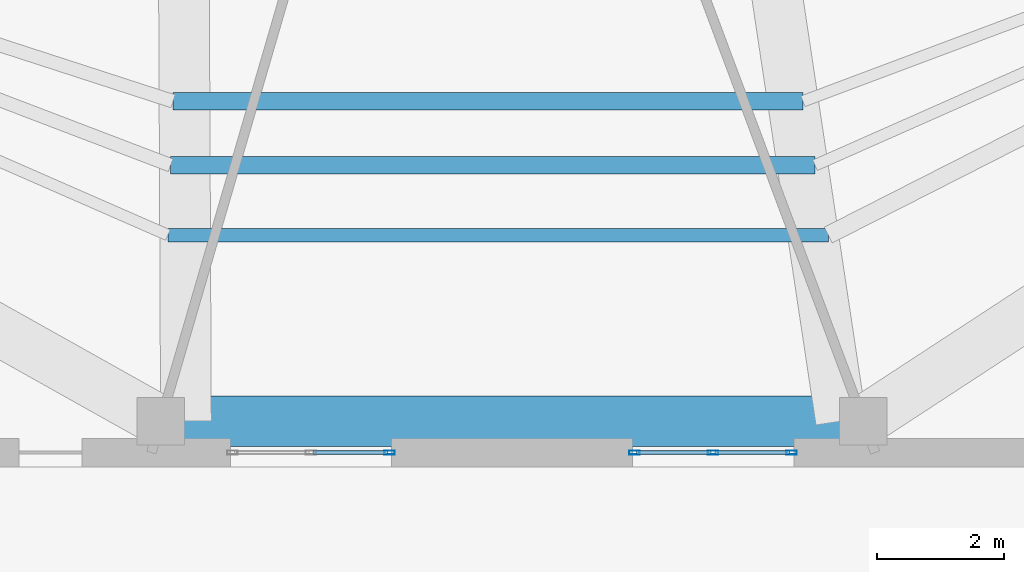
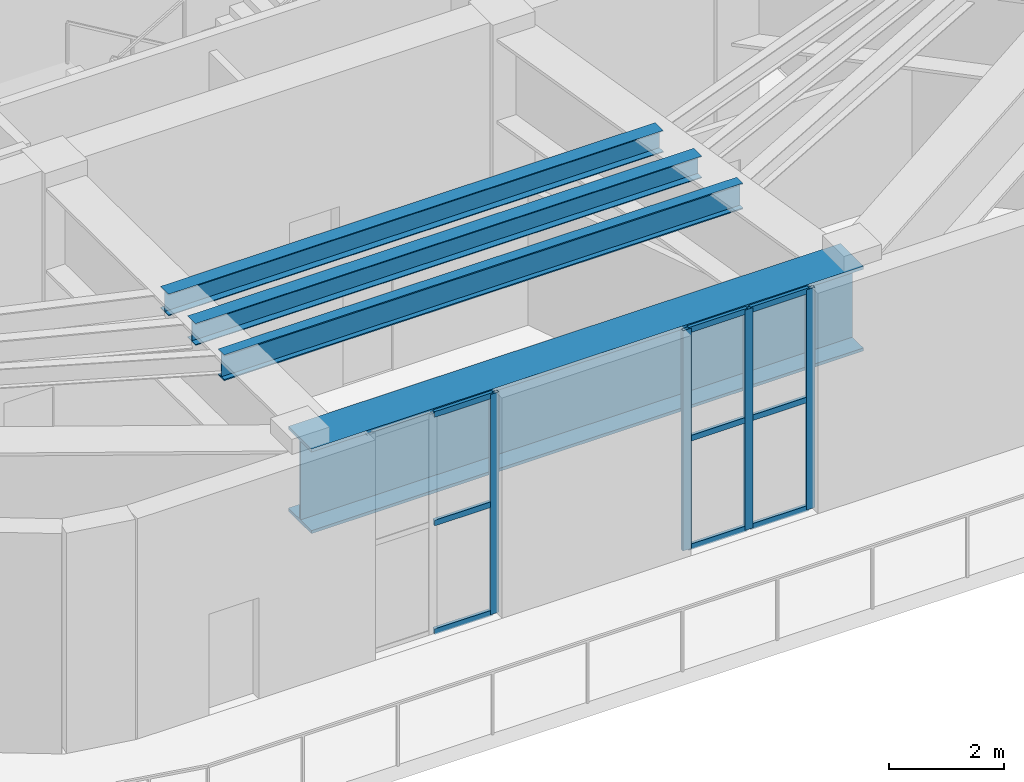
# One storey, part 5 of 24: 13 members, 4 beams, 2 elements without a shape of their own.
"""IFC4 building model written with IfcOpenShell, lengths in metres."""

from ifc_helpers import new_model, si_unit, direction, frame, origin, origin_2d, place, context, subcontext, project, spatial, hollow_rectangle, i_section, extrude, material, layer, layer_set, material_profile, profile_set, type_object, element, aggregate, save


model = new_model("IFC4")

# Units and contexts
model_context = context("Model", 3, precision=1e-05, world=origin(), true_north=direction((0.0, 1.0)))
body_context = subcontext(model_context, "Body", "Model", "MODEL_VIEW")
ifc_project = project(units=[si_unit("LENGTHUNIT", "METRE"), si_unit("AREAUNIT", "SQUARE_METRE"), si_unit("VOLUMEUNIT", "CUBIC_METRE"), si_unit("PLANEANGLEUNIT", "RADIAN"), si_unit("MASSUNIT", "GRAM", prefix="KILO")], contexts=[model_context])

# Site, building, storey
site_placement = place(None, origin())
site = spatial("IfcSite", under=ifc_project, at=site_placement, CompositionType="ELEMENT")
building_placement = place(site_placement, origin())
building = spatial("IfcBuilding", under=site, at=building_placement, Name="Kilnhurst Terrace Hotel", CompositionType="ELEMENT")
storey_placement = place(building_placement, frame((0.0, 0.0, 305.39990234375)))
storey = spatial("IfcBuildingStorey", under=building, at=storey_placement, Name="L76", CompositionType="ELEMENT", Elevation=305.39990234375)

# Beams
ifc_material_1 = material(Name="Steel ASTM A992 Grade 50", Category="steel")
ifc_material_profile_1 = material_profile(ifc_material_1, i_section(OverallWidth=0.279296875, OverallDepth=0.462890625, WebThickness=0.0107421875, FlangeThickness=0.017333984375, at=origin_2d()), Name="W18X76")
ifc_profile_set_1 = profile_set([ifc_material_profile_1], Name="Steel ASTM A992 Grade 50")
beam_type_1 = type_object("IfcBeamType", Name="JST-STL-W18X76", PredefinedType="JOIST", material=ifc_profile_set_1)
beam_1_placement = place(storey_placement, frame((-4.66162109375, -11.631103515625, 4.447998046875), z_axis=(1.0, 0.0, 0.0), x_axis=(0.0, 1.0, 0.0)))
element("IfcBeam", 1, at=beam_1_placement, inside=storey, type_object=beam_type_1, Name="L76 Secondary Floor Steel Joist IN.1", PredefinedType="JOIST", context=body_context, shape_type="SweptSolid", body=[
    extrude(i_section(OverallWidth=0.279296875, OverallDepth=0.462890625, WebThickness=0.0107421875, FlangeThickness=0.017333984375, at=origin_2d()), origin(), (0.0, 0.0, 1.0), 9.94189453125),
])
beam_2_placement = place(storey_placement, frame((-4.700927734375, -12.640869140625, 4.447998046875), z_axis=(1.0, 0.0, 0.0), x_axis=(0.0, 1.0, 0.0)))
element("IfcBeam", 2, at=beam_2_placement, inside=storey, type_object=beam_type_1, Name="L76 Secondary Floor Steel Joist MID.1", PredefinedType="JOIST", context=body_context, shape_type="SweptSolid", body=[
    extrude(i_section(OverallWidth=0.279296875, OverallDepth=0.462890625, WebThickness=0.0107421875, FlangeThickness=0.017333984375, at=origin_2d()), origin(), (0.0, 0.0, 1.0), 10.171875),
])
ifc_material_profile_2 = material_profile(ifc_material_1, i_section(OverallWidth=0.2138671875, OverallDepth=0.549072265625, WebThickness=0.0146484375, FlangeThickness=0.023681640625, at=origin_2d()), Name="W21X93")
ifc_profile_set_2 = profile_set([ifc_material_profile_2], Name="Steel ASTM A992 Grade 50")
beam_type_2 = type_object("IfcBeamType", Name="JST-STL-W21X93", PredefinedType="JOIST", material=ifc_profile_set_2)
beam_3_placement = place(storey_placement, frame((-4.744140625, -13.742431640625, 4.405029296875), z_axis=(1.0, 0.0, 0.0), x_axis=(0.0, 1.0, 0.0)))
element("IfcBeam", 3, at=beam_3_placement, inside=storey, type_object=beam_type_2, Name="L76 Secondary Floor Steel Joist OUT.1", PredefinedType="JOIST", context=body_context, shape_type="SweptSolid", body=[
    extrude(i_section(OverallWidth=0.2138671875, OverallDepth=0.549072265625, WebThickness=0.0146484375, FlangeThickness=0.023681640625, at=origin_2d()), origin(), (0.0, 0.0, 1.0), 10.42333984375),
])

# Curtain wall, member
ifc_material_2 = material(Name="Anodized Aluminium Alloy 6063-T6 and Low-E Glass", Category="aluminium")
ifc_layer = layer(ifc_material_2, 0.219970703125, Name="Anodized Aluminium Alloy 6063-T6 and Low-E Glass")
ifc_layer_set = layer_set([ifc_layer], Name="Anodized Aluminium Alloy 6063-T6 and Low-E Glass")
curtain_wall_type = type_object("IfcCurtainWallType", Name="CW-OBS-CROWN", PredefinedType="NOTDEFINED", material=ifc_layer_set)
curtain_wall_1_placement = place(storey_placement, origin())
curtain_wall_1 = element("IfcCurtainWall", 4, at=curtain_wall_1_placement, inside=storey, type_object=curtain_wall_type, Name="L76 Curtain Wall CW-L76-F1-1", PredefinedType="NOTDEFINED")
ifc_material_3 = material(Name="Extruded Aluminium Alloy 6063-T6", Category="aluminium")
ifc_material_profile_3 = material_profile(ifc_material_3, hollow_rectangle(XDim=0.06494140625, YDim=0.1650390625, WallThickness=0.00341796875, at=origin_2d()), Name="CWM65X165")
ifc_profile_set_3 = profile_set([ifc_material_profile_3], Name="Extruded Aluminium Alloy 6063-T6")
member_type_1 = type_object("IfcMemberType", Name="MEM-CWM65X165", PredefinedType="MULLION", material=ifc_profile_set_3)
member_1_placement = place(storey_placement, frame((-1.245361328125, -17.175048828125, 0.0), z_axis=(0.0, 0.0, 1.0), x_axis=(0.0, 1.0, 0.0)))
member_1 = element("IfcMember", 5, at=member_1_placement, type_object=member_type_1, Name="CWO-6 mullion 3", PredefinedType="MULLION", context=body_context, shape_type="SweptSolid", body=[
    extrude(hollow_rectangle(XDim=0.06494140625, YDim=0.1650390625, WallThickness=0.00341796875, at=origin_2d()), origin(), (0.0, 0.0, 1.0), 4.68017578125),
])

# Curtain wall, members
curtain_wall_2_placement = place(storey_placement, origin())
curtain_wall_2 = element("IfcCurtainWall", 6, at=curtain_wall_2_placement, inside=storey, type_object=curtain_wall_type, Name="L76 Curtain Wall CW-L76-F1-2", PredefinedType="NOTDEFINED")
member_2_placement = place(storey_placement, frame((2.61962890625, -17.175048828125, 0.0), z_axis=(0.0, 0.0, 1.0), x_axis=(0.0, 1.0, 0.0)))
member_2 = element("IfcMember", 7, at=member_2_placement, type_object=member_type_1, Name="CWO-6 mullion 1", PredefinedType="MULLION", context=body_context, shape_type="SweptSolid", body=[
    extrude(hollow_rectangle(XDim=0.06494140625, YDim=0.1650390625, WallThickness=0.00341796875, at=origin_2d()), origin(), (0.0, 0.0, 1.0), 4.68017578125),
])
member_3_placement = place(storey_placement, frame((3.860595703125, -17.175048828125, 0.0), z_axis=(0.0, 0.0, 1.0), x_axis=(0.0, 1.0, 0.0)))
member_3 = element("IfcMember", 8, at=member_3_placement, type_object=member_type_1, Name="CWO-6 mullion 2", PredefinedType="MULLION", context=body_context, shape_type="SweptSolid", body=[
    extrude(hollow_rectangle(XDim=0.06494140625, YDim=0.1650390625, WallThickness=0.00341796875, at=origin_2d()), origin(), (0.0, 0.0, 1.0), 4.68017578125),
])
member_4_placement = place(storey_placement, frame((5.101806640625, -17.175048828125, 0.0), z_axis=(0.0, 0.0, 1.0), x_axis=(0.0, 1.0, 0.0)))
member_4 = element("IfcMember", 9, at=member_4_placement, type_object=member_type_1, Name="CWO-6 mullion 3", PredefinedType="MULLION", context=body_context, shape_type="SweptSolid", body=[
    extrude(hollow_rectangle(XDim=0.06494140625, YDim=0.1650390625, WallThickness=0.00341796875, at=origin_2d()), origin(), (0.0, 0.0, 1.0), 4.68017578125),
])

# Member
ifc_material_profile_4 = material_profile(ifc_material_3, hollow_rectangle(XDim=0.06494140625, YDim=0.1201171875, WallThickness=0.00341796875, at=origin_2d()), Name="CWT65X120")
ifc_profile_set_4 = profile_set([ifc_material_profile_4], Name="Extruded Aluminium Alloy 6063-T6")
member_type_2 = type_object("IfcMemberType", Name="MEM-CWT65X120", PredefinedType="USERDEFINED", material=ifc_profile_set_4)
member_5_placement = place(storey_placement, frame((-2.453369140625, -17.175048828125, 0.03271484375), z_axis=(1.0, 0.0, 0.0), x_axis=(0.0, 1.0, 0.0)))
member_5 = element("IfcMember", 10, at=member_5_placement, type_object=member_type_2, Name="CWO-6 transom 2.1", ObjectType="TRANSOM", PredefinedType="USERDEFINED", context=body_context, shape_type="SweptSolid", body=[
    extrude(hollow_rectangle(XDim=0.06494140625, YDim=0.1201171875, WallThickness=0.00341796875, at=origin_2d()), origin(), (0.0, 0.0, 1.0), 1.175537109375),
])

member_6_placement = place(storey_placement, frame((-2.453369140625, -17.175048828125, 2.340087890625), z_axis=(1.0, 0.0, 0.0), x_axis=(0.0, 1.0, 0.0)))
member_6 = element("IfcMember", 11, at=member_6_placement, type_object=member_type_2, Name="CWO-6 transom 2.2", ObjectType="TRANSOM", PredefinedType="USERDEFINED", context=body_context, shape_type="SweptSolid", body=[
    extrude(hollow_rectangle(XDim=0.06494140625, YDim=0.1201171875, WallThickness=0.00341796875, at=origin_2d()), origin(), (0.0, 0.0, 1.0), 1.175537109375),
])

member_7_placement = place(storey_placement, frame((-2.453369140625, -17.175048828125, 4.647705078125), z_axis=(1.0, 0.0, 0.0), x_axis=(0.0, 1.0, 0.0)))
member_7 = element("IfcMember", 12, at=member_7_placement, type_object=member_type_2, Name="CWO-6 transom 2.3", ObjectType="TRANSOM", PredefinedType="USERDEFINED", context=body_context, shape_type="SweptSolid", body=[
    extrude(hollow_rectangle(XDim=0.06494140625, YDim=0.1201171875, WallThickness=0.00341796875, at=origin_2d()), origin(), (0.0, 0.0, 1.0), 1.175537109375),
])

aggregate(curtain_wall_1, [member_1, member_5, member_6, member_7])

member_8_placement = place(storey_placement, frame((2.652099609375, -17.175048828125, 0.03271484375), z_axis=(1.0, 0.0, 0.0), x_axis=(0.0, 1.0, 0.0)))
member_8 = element("IfcMember", 13, at=member_8_placement, type_object=member_type_2, Name="CWO-6 transom 1.1", ObjectType="TRANSOM", PredefinedType="USERDEFINED", context=body_context, shape_type="SweptSolid", body=[
    extrude(hollow_rectangle(XDim=0.06494140625, YDim=0.1201171875, WallThickness=0.00341796875, at=origin_2d()), origin(), (0.0, 0.0, 1.0), 1.176025390625),
])

member_9_placement = place(storey_placement, frame((2.652099609375, -17.175048828125, 2.340087890625), z_axis=(1.0, 0.0, 0.0), x_axis=(0.0, 1.0, 0.0)))
member_9 = element("IfcMember", 14, at=member_9_placement, type_object=member_type_2, Name="CWO-6 transom 1.2", ObjectType="TRANSOM", PredefinedType="USERDEFINED", context=body_context, shape_type="SweptSolid", body=[
    extrude(hollow_rectangle(XDim=0.06494140625, YDim=0.1201171875, WallThickness=0.00341796875, at=origin_2d()), origin(), (0.0, 0.0, 1.0), 1.176025390625),
])

member_10_placement = place(storey_placement, frame((2.652099609375, -17.175048828125, 4.647705078125), z_axis=(1.0, 0.0, 0.0), x_axis=(0.0, 1.0, 0.0)))
member_10 = element("IfcMember", 15, at=member_10_placement, type_object=member_type_2, Name="CWO-6 transom 1.3", ObjectType="TRANSOM", PredefinedType="USERDEFINED", context=body_context, shape_type="SweptSolid", body=[
    extrude(hollow_rectangle(XDim=0.06494140625, YDim=0.1201171875, WallThickness=0.00341796875, at=origin_2d()), origin(), (0.0, 0.0, 1.0), 1.176025390625),
])

member_11_placement = place(storey_placement, frame((3.893310546875, -17.175048828125, 0.03271484375), z_axis=(1.0, 0.0, 0.0), x_axis=(0.0, 1.0, 0.0)))
member_11 = element("IfcMember", 16, at=member_11_placement, type_object=member_type_2, Name="CWO-6 transom 2.1", ObjectType="TRANSOM", PredefinedType="USERDEFINED", context=body_context, shape_type="SweptSolid", body=[
    extrude(hollow_rectangle(XDim=0.06494140625, YDim=0.1201171875, WallThickness=0.00341796875, at=origin_2d()), origin(), (0.0, 0.0, 1.0), 1.17578125),
])

member_12_placement = place(storey_placement, frame((3.893310546875, -17.175048828125, 2.340087890625), z_axis=(1.0, 0.0, 0.0), x_axis=(0.0, 1.0, 0.0)))
member_12 = element("IfcMember", 17, at=member_12_placement, type_object=member_type_2, Name="CWO-6 transom 2.2", ObjectType="TRANSOM", PredefinedType="USERDEFINED", context=body_context, shape_type="SweptSolid", body=[
    extrude(hollow_rectangle(XDim=0.06494140625, YDim=0.1201171875, WallThickness=0.00341796875, at=origin_2d()), origin(), (0.0, 0.0, 1.0), 1.17578125),
])

member_13_placement = place(storey_placement, frame((3.893310546875, -17.175048828125, 4.647705078125), z_axis=(1.0, 0.0, 0.0), x_axis=(0.0, 1.0, 0.0)))
member_13 = element("IfcMember", 18, at=member_13_placement, type_object=member_type_2, Name="CWO-6 transom 2.3", ObjectType="TRANSOM", PredefinedType="USERDEFINED", context=body_context, shape_type="SweptSolid", body=[
    extrude(hollow_rectangle(XDim=0.06494140625, YDim=0.1201171875, WallThickness=0.00341796875, at=origin_2d()), origin(), (0.0, 0.0, 1.0), 1.17578125),
])

aggregate(curtain_wall_2, [member_2, member_3, member_4, member_8, member_9, member_10, member_11, member_12, member_13])

# Beam
ifc_material_4 = material(Name="Steel ASTM A572 Grade 50", Category="steel")
ifc_material_profile_5 = material_profile(ifc_material_4, i_section(OverallWidth=0.800048828125, OverallDepth=1.800048828125, WebThickness=0.0400390625, FlangeThickness=0.06494140625, at=origin_2d()), Name="PG1800X800")
ifc_profile_set_5 = profile_set([ifc_material_profile_5], Name="Steel ASTM A572 Grade 50")
beam_type_3 = type_object("IfcBeamType", Name="TG-STEP-1800", PredefinedType="USERDEFINED", material=ifc_profile_set_5)
beam_4_placement = place(storey_placement, frame((-4.85888671875, -16.679931640625, 3.780029296875), z_axis=(1.0, 0.0, 0.0), x_axis=(0.0, 1.0, 0.0)))
element("IfcBeam", 19, at=beam_4_placement, inside=storey, type_object=beam_type_3, Name="L76 Zone Step Perimeter Transfer Girder 1", ObjectType="GIRDER", PredefinedType="USERDEFINED", context=body_context, shape_type="SweptSolid", body=[
    extrude(i_section(OverallWidth=0.800048828125, OverallDepth=1.800048828125, WebThickness=0.0400390625, FlangeThickness=0.06494140625, at=origin_2d()), origin(), (0.0, 0.0, 1.0), 11.0927734375),
])

save(model, "model.ifc")
